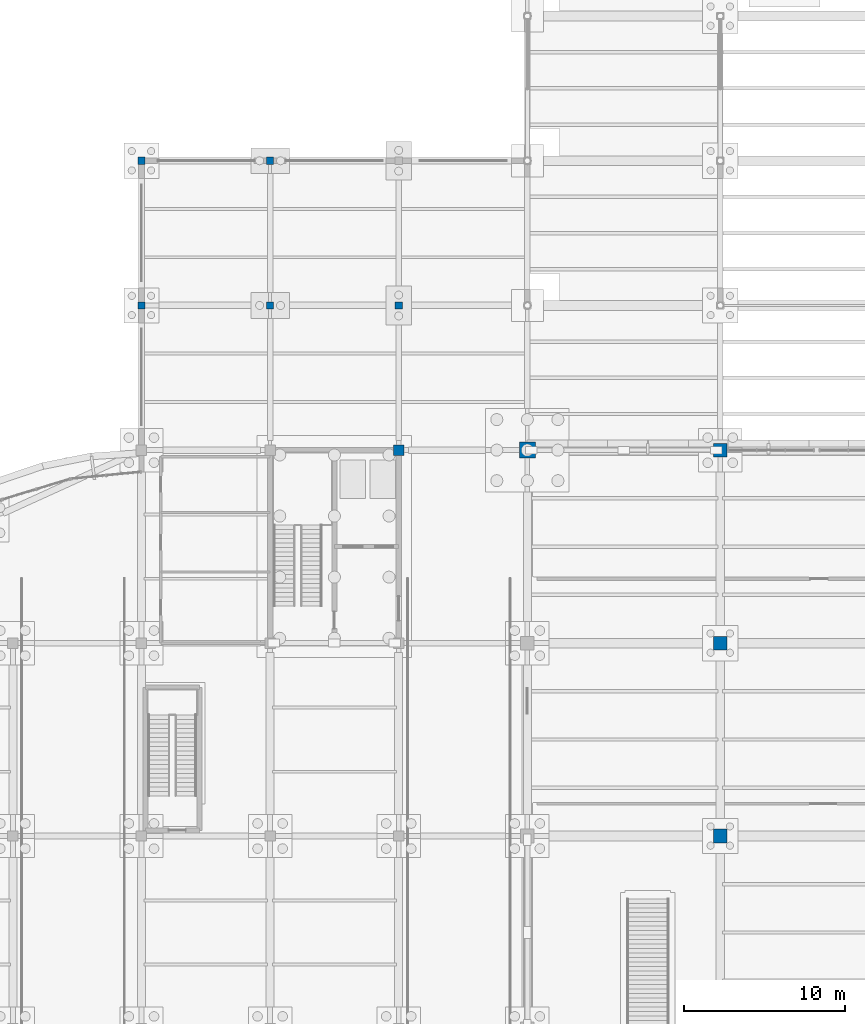
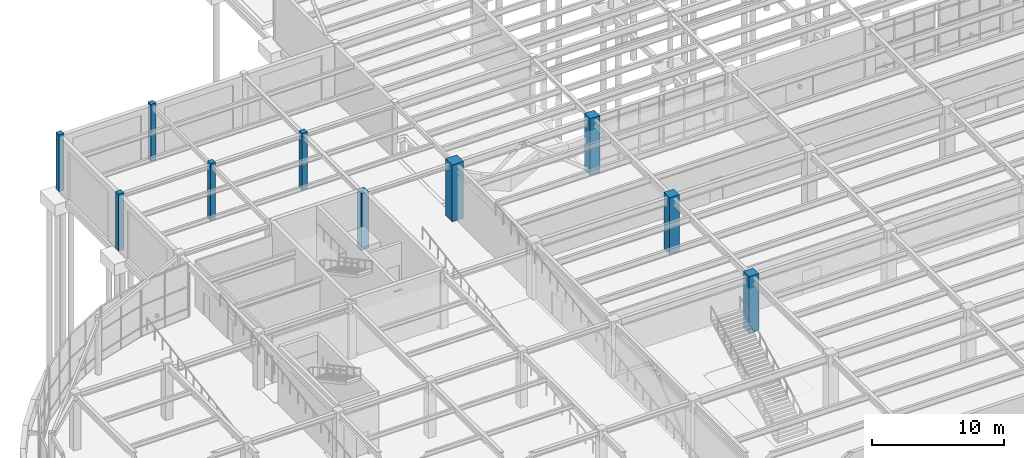
# One storey, part 15 of 85: 10 columns.
"""IFC4 building model written with IfcOpenShell, lengths in metres."""

from ifc_helpers import new_model, si_unit, direction, frame, origin, origin_2d, place, context, subcontext, project, spatial, rectangle, extrude, material, material_profile, profile_set, type_object, element, save


model = new_model("IFC4")

# Units and contexts
model_context = context("Model", 3, precision=1e-05, world=origin(), true_north=direction((0.0, 1.0)))
body_context = subcontext(model_context, "Body", "Model", "MODEL_VIEW")
ifc_project = project(units=[si_unit("LENGTHUNIT", "METRE"), si_unit("AREAUNIT", "SQUARE_METRE"), si_unit("VOLUMEUNIT", "CUBIC_METRE"), si_unit("PLANEANGLEUNIT", "RADIAN"), si_unit("MASSUNIT", "GRAM", prefix="KILO")], contexts=[model_context])

# Site, building, storey
site_placement = place(None, origin())
site = spatial("IfcSite", under=ifc_project, at=site_placement, CompositionType="ELEMENT")
building_placement = place(site_placement, origin())
building = spatial("IfcBuilding", under=site, at=building_placement, Name="Keelwater Ferry Terminal", CompositionType="ELEMENT")
storey_placement = place(building_placement, origin())
storey = spatial("IfcBuildingStorey", under=building, at=storey_placement, Name="L00", CompositionType="ELEMENT", Elevation=0.0)

# Columns
ifc_material_1 = material(Name="Concrete C50/60", Category="concrete")
ifc_material_profile_1 = material_profile(ifc_material_1, rectangle(XDim=0.85009765625, YDim=0.85009765625, at=origin_2d()), Name="RC 850x850")
ifc_profile_set_1 = profile_set([ifc_material_profile_1], Name="Concrete C50/60")
column_type_1 = type_object("IfcColumnType", Name="C1 RC 850x850", PredefinedType="COLUMN", material=ifc_profile_set_1)
for number, where, z_axis, x_axis, name in (
    (1, (60.0, 66.0, 0.0), (0.0, 0.0, 1.0), (1.0, 0.0, 0.0), "Column CL-L00-0117"),
    (2, (60.0, 78.0, 0.0), (0.0, 0.0, 1.0), (1.0, 0.0, 0.0), "Column CL-L00-0118"),
    (3, (60.0, 90.0, 0.0), (0.0, 0.0, 1.0), (1.0, 0.0, 0.0), "Column CL-L00-0119"),
):
    element("IfcColumn", number, at=place(storey_placement, frame(where, z_axis=z_axis, x_axis=x_axis)), inside=storey, type_object=column_type_1, Name=name, PredefinedType="COLUMN", context=body_context, shape_type="SweptSolid", body=[
        extrude(rectangle(XDim=0.85009765625, YDim=0.85009765625, at=origin_2d()), origin(), (0.0, 0.0, 1.0), 5.239990234375),
    ])
ifc_material_2 = material(Name="Concrete C45/55", Category="concrete")
ifc_material_profile_2 = material_profile(ifc_material_2, rectangle(XDim=0.64990234375, YDim=0.64990234375, at=origin_2d()), Name="RC 650x650")
ifc_profile_set_2 = profile_set([ifc_material_profile_2], Name="Concrete C45/55")
column_type_2 = type_object("IfcColumnType", Name="C3 RC 650x650", PredefinedType="COLUMN", material=ifc_profile_set_2)
column_1_placement = place(storey_placement, frame((40.0, 90.0, 0.0), z_axis=(0.0, 0.0, 1.0), x_axis=(1.0, 0.0, 0.0)))
element("IfcColumn", 4, at=column_1_placement, inside=storey, type_object=column_type_2, Name="Column CL-L00-0081", PredefinedType="COLUMN", context=body_context, shape_type="SweptSolid", body=[
    extrude(rectangle(XDim=0.64990234375, YDim=0.64990234375, at=origin_2d()), origin(), (0.0, 0.0, 1.0), 5.239990234375),
])
ifc_material_3 = material(Name="Concrete C45/55", Category="concrete")
ifc_material_profile_3 = material_profile(ifc_material_3, rectangle(XDim=0.449951171875, YDim=0.449951171875, at=origin_2d()), Name="RC 450x450")
ifc_profile_set_3 = profile_set([ifc_material_profile_3], Name="Concrete C45/55")
column_type_3 = type_object("IfcColumnType", Name="C5 RC 450x450", PredefinedType="COLUMN", material=ifc_profile_set_3)
for number, where, z_axis, x_axis, name in (
    (5, (24.0, 99.0, 0.0), (0.0, 0.0, 1.0), (1.0, 0.0, 0.0), "Column CL-L00-0034"),
    (6, (24.0, 108.0, 0.0), (0.0, 0.0, 1.0), (1.0, 0.0, 0.0), "Column CL-L00-0035"),
    (7, (32.0, 99.0, 0.0), (0.0, 0.0, 1.0), (1.0, 0.0, 0.0), "Column CL-L00-0059"),
    (8, (32.0, 108.0, 0.0), (0.0, 0.0, 1.0), (1.0, 0.0, 0.0), "Column CL-L00-0060"),
    (9, (40.0, 99.0, 0.0), (0.0, 0.0, 1.0), (1.0, 0.0, 0.0), "Column CL-L00-0084"),
):
    element("IfcColumn", number, at=place(storey_placement, frame(where, z_axis=z_axis, x_axis=x_axis)), inside=storey, type_object=column_type_3, Name=name, PredefinedType="COLUMN", context=body_context, shape_type="SweptSolid", body=[
        extrude(rectangle(XDim=0.449951171875, YDim=0.449951171875, at=origin_2d()), origin(), (0.0, 0.0, 1.0), 5.239990234375),
    ])
ifc_material_4 = material(Name="Concrete C50/60", Category="concrete")
ifc_material_profile_4 = material_profile(ifc_material_4, rectangle(XDim=1.0, YDim=1.0, at=origin_2d()), Name="RC 1000x1000")
ifc_profile_set_4 = profile_set([ifc_material_profile_4], Name="Concrete C50/60")
column_type_4 = type_object("IfcColumnType", Name="MC1 RC 1000x1000", PredefinedType="COLUMN", material=ifc_profile_set_4)
column_2_placement = place(storey_placement, frame((48.0, 90.0, 0.0), z_axis=(0.0, 0.0, 1.0), x_axis=(1.0, 0.0, 0.0)))
element("IfcColumn", 10, at=column_2_placement, inside=storey, type_object=column_type_4, Name="Column CL-L00-0106", PredefinedType="COLUMN", context=body_context, shape_type="SweptSolid", body=[
    extrude(rectangle(XDim=1.0, YDim=1.0, at=origin_2d()), origin(), (0.0, 0.0, 1.0), 5.239990234375),
])

save(model, "model.ifc")
